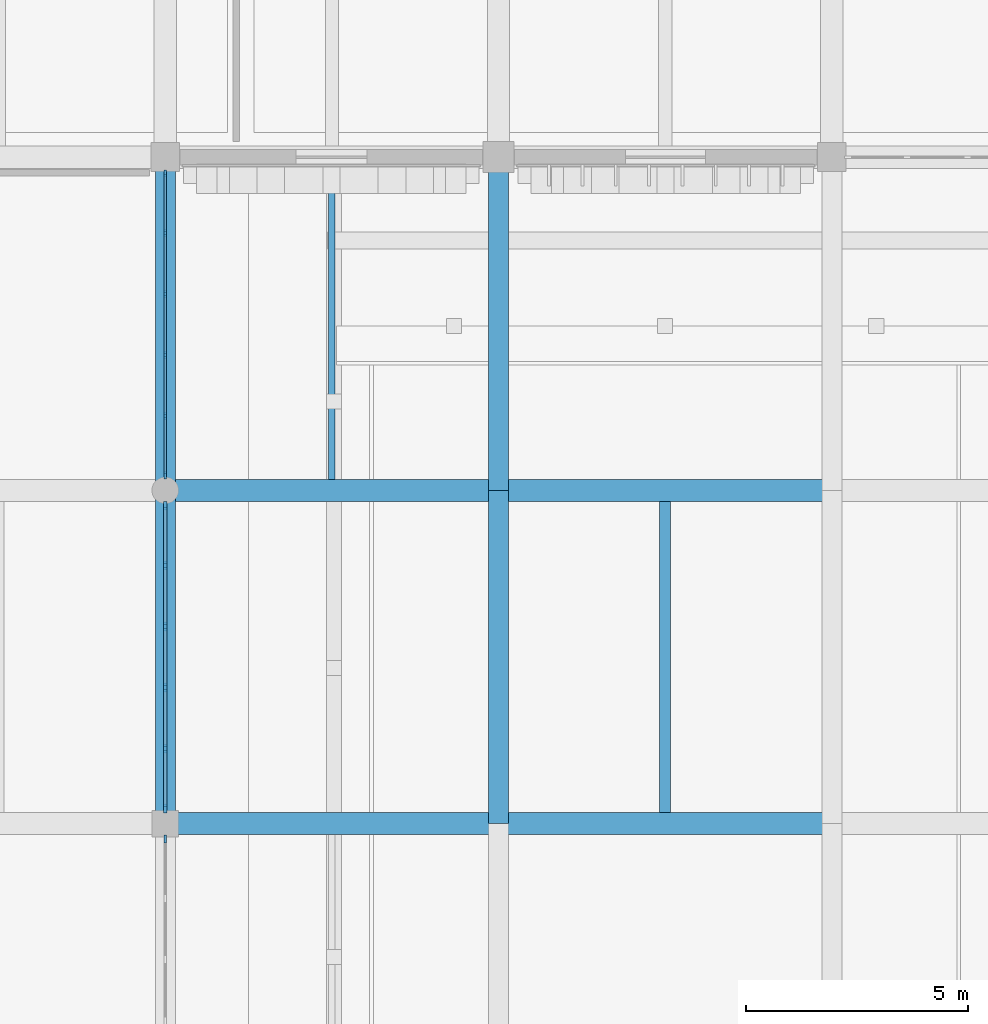
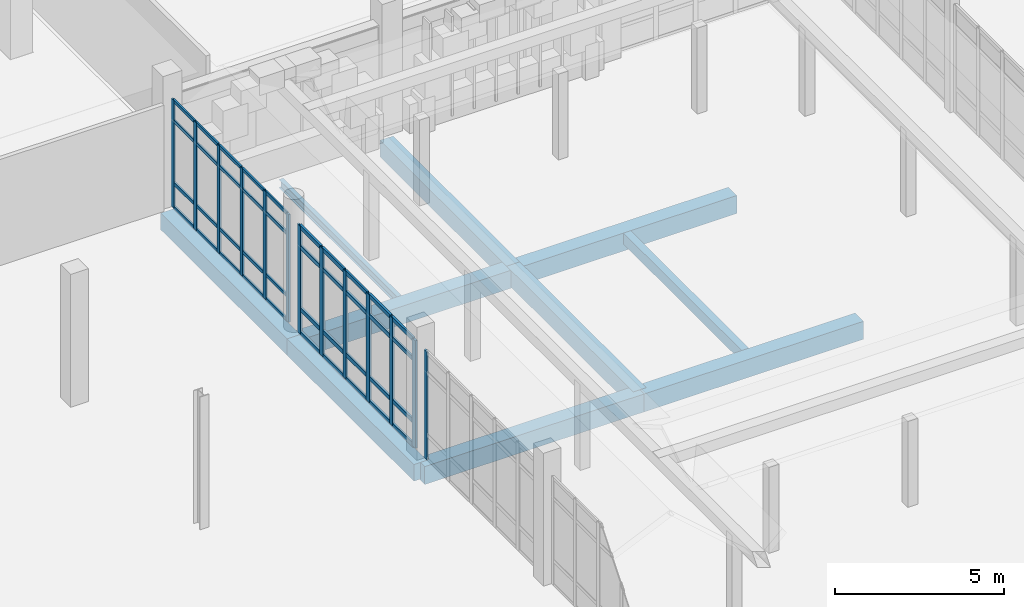
# One storey, part 49 of 125: 53 members, 10 beams, 3 elements without a shape of their own.
"""IFC4 building model written with IfcOpenShell, lengths in metres."""

from ifc_helpers import new_model, si_unit, direction, frame, origin, origin_2d, place, context, subcontext, project, spatial, rectangle, i_section, extrude, material, layer, layer_set, material_profile, profile_set, type_object, element, aggregate, save


model = new_model("IFC4")

# Units and contexts
model_context = context("Model", 3, precision=1e-05, world=origin(), true_north=direction((0.0, 1.0)))
body_context = subcontext(model_context, "Body", "Model", "MODEL_VIEW")
ifc_project = project(units=[si_unit("LENGTHUNIT", "METRE"), si_unit("AREAUNIT", "SQUARE_METRE"), si_unit("VOLUMEUNIT", "CUBIC_METRE"), si_unit("PLANEANGLEUNIT", "RADIAN"), si_unit("MASSUNIT", "GRAM", prefix="KILO")], contexts=[model_context])

# Site, building, storey
site_placement = place(None, origin())
site = spatial("IfcSite", under=ifc_project, at=site_placement, CompositionType="ELEMENT")
building_placement = place(site_placement, origin())
building = spatial("IfcBuilding", under=site, at=building_placement, Name="Dalvernix Boulevard General Hospital", CompositionType="ELEMENT")
storey_placement = place(building_placement, origin())
storey = spatial("IfcBuildingStorey", under=building, at=storey_placement, Name="L00", CompositionType="ELEMENT", Elevation=0.0)

# Beams
ifc_material_1 = material(Name="Concrete C35/45", Category="concrete")
ifc_material_profile_1 = material_profile(ifc_material_1, rectangle(XDim=0.5, YDim=0.64990234375, at=origin_2d()), Name="RCB 500x650")
ifc_profile_set_1 = profile_set([ifc_material_profile_1], Name="Concrete C35/45")
beam_type_1 = type_object("IfcBeamType", Name="BM-B-02-I", PredefinedType="BEAM", material=ifc_profile_set_1)
for number, where, z_axis, x_axis, name in (
    (1, (112.5, 61.5, -0.68505859375), (1.0, 0.0, 0.0), (0.0, 1.0, 0.0), "L00 E-W girder J:16-17"),
    (2, (120.0, 61.5, -0.68505859375), (1.0, 0.0, 0.0), (0.0, 1.0, 0.0), "L00 E-W girder J:17-18"),
    (3, (112.5, 69.0, -0.68505859375), (1.0, 0.0, 0.0), (0.0, 1.0, 0.0), "L00 E-W girder K:16-17"),
    (4, (120.0, 69.0, -0.68505859375), (1.0, 0.0, 0.0), (0.0, 1.0, 0.0), "L00 E-W girder K:17-18"),
):
    element("IfcBeam", number, at=place(storey_placement, frame(where, z_axis=z_axis, x_axis=x_axis)), inside=storey, type_object=beam_type_1, Name=name, PredefinedType="BEAM", context=body_context, shape_type="SweptSolid", body=[
        extrude(rectangle(XDim=0.5, YDim=0.64990234375, at=origin_2d()), origin(), (0.0, 0.0, 1.0), 7.5),
    ])
ifc_material_profile_2 = material_profile(ifc_material_1, rectangle(XDim=0.449951171875, YDim=0.60009765625, at=origin_2d()), Name="RCB 450x600")
ifc_profile_set_2 = profile_set([ifc_material_profile_2], Name="Concrete C35/45")
beam_type_2 = type_object("IfcBeamType", Name="BM-B-04-I", PredefinedType="BEAM", material=ifc_profile_set_2)
for number, where, z_axis, x_axis, name in (
    (5, (112.5, 61.5, -0.659912109375), (0.0, 1.0, 0.0), (-1.0, 0.0, 0.0), "L00 N-S girder 16:J-K"),
    (6, (112.5, 69.0, -0.659912109375), (0.0, 1.0, 0.0), (-1.0, 0.0, 0.0), "L00 N-S girder 16:K-L"),
    (7, (120.0, 61.5, -0.659912109375), (0.0, 1.0, 0.0), (-1.0, 0.0, 0.0), "L00 N-S girder 17:J-K"),
    (8, (120.0, 69.0, -0.659912109375), (0.0, 1.0, 0.0), (-1.0, 0.0, 0.0), "L00 N-S girder 17:K-L"),
):
    element("IfcBeam", number, at=place(storey_placement, frame(where, z_axis=z_axis, x_axis=x_axis)), inside=storey, type_object=beam_type_2, Name=name, PredefinedType="BEAM", context=body_context, shape_type="SweptSolid", body=[
        extrude(rectangle(XDim=0.449951171875, YDim=0.60009765625, at=origin_2d()), origin(), (0.0, 0.0, 1.0), 7.5),
    ])
ifc_material_profile_3 = material_profile(ifc_material_1, rectangle(XDim=0.25, YDim=0.39990234375, at=origin_2d()), Name="RCB 250x400")
ifc_profile_set_3 = profile_set([ifc_material_profile_3], Name="Concrete C35/45")
beam_type_3 = type_object("IfcBeamType", Name="BM-JB-02", PredefinedType="JOIST", material=ifc_profile_set_3)
beam_1_placement = place(storey_placement, frame((123.75, 61.75, -0.56005859375), z_axis=(0.0, 1.0, 0.0), x_axis=(-1.0, 0.0, 0.0)))
element("IfcBeam", 9, at=beam_1_placement, inside=storey, type_object=beam_type_3, Name="L00 secondary floor beam 17-J", PredefinedType="JOIST", context=body_context, shape_type="SweptSolid", body=[
    extrude(rectangle(XDim=0.25, YDim=0.39990234375, at=origin_2d()), origin(), (0.0, 0.0, 1.0), 7.0),
])
ifc_material_2 = material(Name="Steel S355", Category="steel")
ifc_material_profile_4 = material_profile(ifc_material_2, i_section(OverallWidth=0.14990234375, OverallDepth=0.300048828125, WebThickness=0.007080078125, FlangeThickness=0.0107421875, FilletRadius=0.014892578125, at=origin_2d()), Name="IPE 300")
ifc_profile_set_4 = profile_set([ifc_material_profile_4], Name="Steel S355")
beam_type_4 = type_object("IfcBeamType", Name="BM-JB-03", PredefinedType="JOIST", material=ifc_profile_set_4)
beam_2_placement = place(storey_placement, frame((116.25, 69.25, -0.510009765625), z_axis=(0.0, 1.0, 0.0), x_axis=(-1.0, 0.0, 0.0)))
element("IfcBeam", 10, at=beam_2_placement, inside=storey, type_object=beam_type_4, Name="L00 secondary floor beam 16-K", PredefinedType="JOIST", context=body_context, shape_type="SweptSolid", body=[
    extrude(i_section(OverallWidth=0.14990234375, OverallDepth=0.300048828125, WebThickness=0.007080078125, FlangeThickness=0.0107421875, FilletRadius=0.014892578125, at=origin_2d()), origin(), (0.0, 0.0, 1.0), 7.0),
])

# Curtain wall, members
ifc_material_3 = material(Name="Thermally broken aluminium and solar-control glass curtain wall", Category="aluminium")
ifc_layer_1 = layer(ifc_material_3, 0.159912109375)
ifc_layer_set_1 = layer_set([ifc_layer_1], Name="Thermally broken aluminium and solar-control glass curtain wall (CW-CW-A-69x39)")
curtain_wall_type_1 = type_object("IfcCurtainWallType", Name="CW-CW-A-69x39", PredefinedType="USERDEFINED", material=ifc_layer_set_1)
curtain_wall_1_placement = place(storey_placement, origin())
curtain_wall_1 = element("IfcCurtainWall", 11, at=curtain_wall_1_placement, inside=storey, type_object=curtain_wall_type_1, Name="L00 curtain wall CW-A-69x39 15-9", ObjectType="GLAZED FACADE", PredefinedType="USERDEFINED")
ifc_material_4 = material(Name="Aluminium EN AW-6060", Category="aluminium")
ifc_material_profile_5 = material_profile(ifc_material_4, rectangle(XDim=0.06005859375, YDim=0.159912109375, at=origin_2d()), Name="ALU MULL 60x160")
ifc_profile_set_5 = profile_set([ifc_material_profile_5], Name="Aluminium EN AW-6060")
member_type_1 = type_object("IfcMemberType", Name="MEM-CW-M1", PredefinedType="MULLION", material=ifc_profile_set_5)
member_1_placement = place(storey_placement, frame((112.5, 76.135009765625, 0.0), z_axis=(0.0, 0.0, 1.0), x_axis=(1.0, 0.0, 0.0)))
member_1 = element("IfcMember", 12, at=member_1_placement, type_object=member_type_1, Name="CW-A-69x39 mullion 1", PredefinedType="MULLION", context=body_context, shape_type="SweptSolid", body=[
    extrude(rectangle(XDim=0.06005859375, YDim=0.159912109375, at=origin_2d()), origin(), (0.0, 0.0, 1.0), 3.89990234375),
])
member_2_placement = place(storey_placement, frame((112.5, 74.7939453125, 0.0), z_axis=(0.0, 0.0, 1.0), x_axis=(1.0, 0.0, 0.0)))
member_2 = element("IfcMember", 13, at=member_2_placement, type_object=member_type_1, Name="CW-A-69x39 mullion 2", PredefinedType="MULLION", context=body_context, shape_type="SweptSolid", body=[
    extrude(rectangle(XDim=0.06005859375, YDim=0.159912109375, at=origin_2d()), origin(), (0.0, 0.0, 1.0), 3.89990234375),
])
member_3_placement = place(storey_placement, frame((112.5, 73.423095703125, 0.0), z_axis=(0.0, 0.0, 1.0), x_axis=(1.0, 0.0, 0.0)))
member_3 = element("IfcMember", 14, at=member_3_placement, type_object=member_type_1, Name="CW-A-69x39 mullion 3", PredefinedType="MULLION", context=body_context, shape_type="SweptSolid", body=[
    extrude(rectangle(XDim=0.06005859375, YDim=0.159912109375, at=origin_2d()), origin(), (0.0, 0.0, 1.0), 3.89990234375),
])
member_4_placement = place(storey_placement, frame((112.5, 72.052001953125, 0.0), z_axis=(0.0, 0.0, 1.0), x_axis=(1.0, 0.0, 0.0)))
member_4 = element("IfcMember", 15, at=member_4_placement, type_object=member_type_1, Name="CW-A-69x39 mullion 4", PredefinedType="MULLION", context=body_context, shape_type="SweptSolid", body=[
    extrude(rectangle(XDim=0.06005859375, YDim=0.159912109375, at=origin_2d()), origin(), (0.0, 0.0, 1.0), 3.89990234375),
])
member_5_placement = place(storey_placement, frame((112.5, 70.680908203125, 0.0), z_axis=(0.0, 0.0, 1.0), x_axis=(1.0, 0.0, 0.0)))
member_5 = element("IfcMember", 16, at=member_5_placement, type_object=member_type_1, Name="CW-A-69x39 mullion 5", PredefinedType="MULLION", context=body_context, shape_type="SweptSolid", body=[
    extrude(rectangle(XDim=0.06005859375, YDim=0.159912109375, at=origin_2d()), origin(), (0.0, 0.0, 1.0), 3.89990234375),
])
member_6_placement = place(storey_placement, frame((112.5, 69.340087890625, 0.0), z_axis=(0.0, 0.0, 1.0), x_axis=(1.0, 0.0, 0.0)))
member_6 = element("IfcMember", 17, at=member_6_placement, type_object=member_type_1, Name="CW-A-69x39 mullion 6", PredefinedType="MULLION", context=body_context, shape_type="SweptSolid", body=[
    extrude(rectangle(XDim=0.06005859375, YDim=0.159912109375, at=origin_2d()), origin(), (0.0, 0.0, 1.0), 3.89990234375),
])

# Curtain wall, member
ifc_layer_2 = layer(ifc_material_3, 0.179931640625)
ifc_layer_set_2 = layer_set([ifc_layer_2], Name="Thermally broken aluminium and solar-control glass curtain wall (CW-CW-B-69x39)")
curtain_wall_type_2 = type_object("IfcCurtainWallType", Name="CW-CW-B-69x39", PredefinedType="USERDEFINED", material=ifc_layer_set_2)
curtain_wall_2_placement = place(storey_placement, origin())
curtain_wall_2 = element("IfcCurtainWall", 18, at=curtain_wall_2_placement, inside=storey, type_object=curtain_wall_type_2, Name="L00 curtain wall CW-B-69x39 15-7", ObjectType="GLAZED FACADE", PredefinedType="USERDEFINED")
ifc_material_profile_6 = material_profile(ifc_material_4, rectangle(XDim=0.06494140625, YDim=0.179931640625, at=origin_2d()), Name="ALU MULL 65x180")
ifc_profile_set_6 = profile_set([ifc_material_profile_6], Name="Aluminium EN AW-6060")
member_type_2 = type_object("IfcMemberType", Name="MEM-CW-M2", PredefinedType="MULLION", material=ifc_profile_set_6)
member_7_placement = place(storey_placement, frame((112.5, 61.157470703125, 0.0), z_axis=(0.0, 0.0, 1.0), x_axis=(1.0, 0.0, 0.0)))
member_7 = element("IfcMember", 19, at=member_7_placement, type_object=member_type_2, Name="CW-B-69x39 mullion 1", PredefinedType="MULLION", context=body_context, shape_type="SweptSolid", body=[
    extrude(rectangle(XDim=0.06494140625, YDim=0.179931640625, at=origin_2d()), origin(), (0.0, 0.0, 1.0), 3.89990234375),
])
aggregate(curtain_wall_2, [member_7])

# Curtain wall, members
ifc_layer_3 = layer(ifc_material_3, 0.199951171875)
ifc_layer_set_3 = layer_set([ifc_layer_3], Name="Thermally broken aluminium and solar-control glass curtain wall (CW-CW-C-69x39)")
curtain_wall_type_3 = type_object("IfcCurtainWallType", Name="CW-CW-C-69x39", PredefinedType="USERDEFINED", material=ifc_layer_set_3)
curtain_wall_3_placement = place(storey_placement, origin())
curtain_wall_3 = element("IfcCurtainWall", 20, at=curtain_wall_3_placement, inside=storey, type_object=curtain_wall_type_3, Name="L00 curtain wall CW-C-69x39 15-8", ObjectType="GLAZED FACADE", PredefinedType="USERDEFINED")
ifc_material_profile_7 = material_profile(ifc_material_4, rectangle(XDim=0.070068359375, YDim=0.199951171875, at=origin_2d()), Name="ALU MULL 70x200")
ifc_profile_set_7 = profile_set([ifc_material_profile_7], Name="Aluminium EN AW-6060")
member_type_3 = type_object("IfcMemberType", Name="MEM-CW-M3", PredefinedType="MULLION", material=ifc_profile_set_7)
member_8_placement = place(storey_placement, frame((112.5, 68.655029296875, 0.0), z_axis=(0.0, 0.0, 1.0), x_axis=(1.0, 0.0, 0.0)))
member_8 = element("IfcMember", 21, at=member_8_placement, type_object=member_type_3, Name="CW-C-69x39 mullion 1", PredefinedType="MULLION", context=body_context, shape_type="SweptSolid", body=[
    extrude(rectangle(XDim=0.070068359375, YDim=0.199951171875, at=origin_2d()), origin(), (0.0, 0.0, 1.0), 3.89990234375),
])
member_9_placement = place(storey_placement, frame((112.5, 67.31396484375, 0.0), z_axis=(0.0, 0.0, 1.0), x_axis=(1.0, 0.0, 0.0)))
member_9 = element("IfcMember", 22, at=member_9_placement, type_object=member_type_3, Name="CW-C-69x39 mullion 2", PredefinedType="MULLION", context=body_context, shape_type="SweptSolid", body=[
    extrude(rectangle(XDim=0.070068359375, YDim=0.199951171875, at=origin_2d()), origin(), (0.0, 0.0, 1.0), 3.89990234375),
])
member_10_placement = place(storey_placement, frame((112.5, 65.93798828125, 0.0), z_axis=(0.0, 0.0, 1.0), x_axis=(1.0, 0.0, 0.0)))
member_10 = element("IfcMember", 23, at=member_10_placement, type_object=member_type_3, Name="CW-C-69x39 mullion 3", PredefinedType="MULLION", context=body_context, shape_type="SweptSolid", body=[
    extrude(rectangle(XDim=0.070068359375, YDim=0.199951171875, at=origin_2d()), origin(), (0.0, 0.0, 1.0), 3.89990234375),
])
member_11_placement = place(storey_placement, frame((112.5, 64.56201171875, 0.0), z_axis=(0.0, 0.0, 1.0), x_axis=(1.0, 0.0, 0.0)))
member_11 = element("IfcMember", 24, at=member_11_placement, type_object=member_type_3, Name="CW-C-69x39 mullion 4", PredefinedType="MULLION", context=body_context, shape_type="SweptSolid", body=[
    extrude(rectangle(XDim=0.070068359375, YDim=0.199951171875, at=origin_2d()), origin(), (0.0, 0.0, 1.0), 3.89990234375),
])
member_12_placement = place(storey_placement, frame((112.5, 63.18603515625, 0.0), z_axis=(0.0, 0.0, 1.0), x_axis=(1.0, 0.0, 0.0)))
member_12 = element("IfcMember", 25, at=member_12_placement, type_object=member_type_3, Name="CW-C-69x39 mullion 5", PredefinedType="MULLION", context=body_context, shape_type="SweptSolid", body=[
    extrude(rectangle(XDim=0.070068359375, YDim=0.199951171875, at=origin_2d()), origin(), (0.0, 0.0, 1.0), 3.89990234375),
])
member_13_placement = place(storey_placement, frame((112.5, 61.844970703125, 0.0), z_axis=(0.0, 0.0, 1.0), x_axis=(1.0, 0.0, 0.0)))
member_13 = element("IfcMember", 26, at=member_13_placement, type_object=member_type_3, Name="CW-C-69x39 mullion 6", PredefinedType="MULLION", context=body_context, shape_type="SweptSolid", body=[
    extrude(rectangle(XDim=0.070068359375, YDim=0.199951171875, at=origin_2d()), origin(), (0.0, 0.0, 1.0), 3.89990234375),
])

# Member
ifc_material_profile_8 = material_profile(ifc_material_4, rectangle(XDim=0.06005859375, YDim=0.1201171875, at=origin_2d()), Name="ALU TRAN 60x120")
ifc_profile_set_8 = profile_set([ifc_material_profile_8], Name="Aluminium EN AW-6060")
member_type_4 = type_object("IfcMemberType", Name="MEM-CW-T1", PredefinedType="USERDEFINED", material=ifc_profile_set_8)
member_14_placement = place(storey_placement, frame((112.5, 76.10498046875, 0.030029296875), z_axis=(0.0, -1.0, 0.0), x_axis=(1.0, 0.0, 0.0)))
member_14 = element("IfcMember", 27, at=member_14_placement, type_object=member_type_4, Name="CW-A-69x39 transom 1.1", ObjectType="TRANSOM", PredefinedType="USERDEFINED", context=body_context, shape_type="SweptSolid", body=[
    extrude(rectangle(XDim=0.06005859375, YDim=0.1201171875, at=origin_2d()), origin(), (0.0, 0.0, 1.0), 1.281005859375),
])

member_15_placement = place(storey_placement, frame((112.5, 76.10498046875, 0.89990234375), z_axis=(0.0, -1.0, 0.0), x_axis=(1.0, 0.0, 0.0)))
member_15 = element("IfcMember", 28, at=member_15_placement, type_object=member_type_4, Name="CW-A-69x39 transom 1.2", ObjectType="TRANSOM", PredefinedType="USERDEFINED", context=body_context, shape_type="SweptSolid", body=[
    extrude(rectangle(XDim=0.06005859375, YDim=0.1201171875, at=origin_2d()), origin(), (0.0, 0.0, 1.0), 1.281005859375),
])

member_16_placement = place(storey_placement, frame((112.5, 76.10498046875, 3.14990234375), z_axis=(0.0, -1.0, 0.0), x_axis=(1.0, 0.0, 0.0)))
member_16 = element("IfcMember", 29, at=member_16_placement, type_object=member_type_4, Name="CW-A-69x39 transom 1.3", ObjectType="TRANSOM", PredefinedType="USERDEFINED", context=body_context, shape_type="SweptSolid", body=[
    extrude(rectangle(XDim=0.06005859375, YDim=0.1201171875, at=origin_2d()), origin(), (0.0, 0.0, 1.0), 1.281005859375),
])

member_17_placement = place(storey_placement, frame((112.5, 76.10498046875, 3.8701171875), z_axis=(0.0, -1.0, 0.0), x_axis=(1.0, 0.0, 0.0)))
member_17 = element("IfcMember", 30, at=member_17_placement, type_object=member_type_4, Name="CW-A-69x39 transom 1.4", ObjectType="TRANSOM", PredefinedType="USERDEFINED", context=body_context, shape_type="SweptSolid", body=[
    extrude(rectangle(XDim=0.06005859375, YDim=0.1201171875, at=origin_2d()), origin(), (0.0, 0.0, 1.0), 1.281005859375),
])

member_18_placement = place(storey_placement, frame((112.5, 74.763916015625, 0.030029296875), z_axis=(0.0, -1.0, 0.0), x_axis=(1.0, 0.0, 0.0)))
member_18 = element("IfcMember", 31, at=member_18_placement, type_object=member_type_4, Name="CW-A-69x39 transom 2.1", ObjectType="TRANSOM", PredefinedType="USERDEFINED", context=body_context, shape_type="SweptSolid", body=[
    extrude(rectangle(XDim=0.06005859375, YDim=0.1201171875, at=origin_2d()), origin(), (0.0, 0.0, 1.0), 1.31103515625),
])

member_19_placement = place(storey_placement, frame((112.5, 74.763916015625, 0.89990234375), z_axis=(0.0, -1.0, 0.0), x_axis=(1.0, 0.0, 0.0)))
member_19 = element("IfcMember", 32, at=member_19_placement, type_object=member_type_4, Name="CW-A-69x39 transom 2.2", ObjectType="TRANSOM", PredefinedType="USERDEFINED", context=body_context, shape_type="SweptSolid", body=[
    extrude(rectangle(XDim=0.06005859375, YDim=0.1201171875, at=origin_2d()), origin(), (0.0, 0.0, 1.0), 1.31103515625),
])

member_20_placement = place(storey_placement, frame((112.5, 74.763916015625, 3.14990234375), z_axis=(0.0, -1.0, 0.0), x_axis=(1.0, 0.0, 0.0)))
member_20 = element("IfcMember", 33, at=member_20_placement, type_object=member_type_4, Name="CW-A-69x39 transom 2.3", ObjectType="TRANSOM", PredefinedType="USERDEFINED", context=body_context, shape_type="SweptSolid", body=[
    extrude(rectangle(XDim=0.06005859375, YDim=0.1201171875, at=origin_2d()), origin(), (0.0, 0.0, 1.0), 1.31103515625),
])

member_21_placement = place(storey_placement, frame((112.5, 74.763916015625, 3.8701171875), z_axis=(0.0, -1.0, 0.0), x_axis=(1.0, 0.0, 0.0)))
member_21 = element("IfcMember", 34, at=member_21_placement, type_object=member_type_4, Name="CW-A-69x39 transom 2.4", ObjectType="TRANSOM", PredefinedType="USERDEFINED", context=body_context, shape_type="SweptSolid", body=[
    extrude(rectangle(XDim=0.06005859375, YDim=0.1201171875, at=origin_2d()), origin(), (0.0, 0.0, 1.0), 1.31103515625),
])

member_22_placement = place(storey_placement, frame((112.5, 73.39306640625, 0.030029296875), z_axis=(0.0, -1.0, 0.0), x_axis=(1.0, 0.0, 0.0)))
member_22 = element("IfcMember", 35, at=member_22_placement, type_object=member_type_4, Name="CW-A-69x39 transom 3.1", ObjectType="TRANSOM", PredefinedType="USERDEFINED", context=body_context, shape_type="SweptSolid", body=[
    extrude(rectangle(XDim=0.06005859375, YDim=0.1201171875, at=origin_2d()), origin(), (0.0, 0.0, 1.0), 1.31103515625),
])

member_23_placement = place(storey_placement, frame((112.5, 73.39306640625, 0.89990234375), z_axis=(0.0, -1.0, 0.0), x_axis=(1.0, 0.0, 0.0)))
member_23 = element("IfcMember", 36, at=member_23_placement, type_object=member_type_4, Name="CW-A-69x39 transom 3.2", ObjectType="TRANSOM", PredefinedType="USERDEFINED", context=body_context, shape_type="SweptSolid", body=[
    extrude(rectangle(XDim=0.06005859375, YDim=0.1201171875, at=origin_2d()), origin(), (0.0, 0.0, 1.0), 1.31103515625),
])

member_24_placement = place(storey_placement, frame((112.5, 73.39306640625, 3.14990234375), z_axis=(0.0, -1.0, 0.0), x_axis=(1.0, 0.0, 0.0)))
member_24 = element("IfcMember", 37, at=member_24_placement, type_object=member_type_4, Name="CW-A-69x39 transom 3.3", ObjectType="TRANSOM", PredefinedType="USERDEFINED", context=body_context, shape_type="SweptSolid", body=[
    extrude(rectangle(XDim=0.06005859375, YDim=0.1201171875, at=origin_2d()), origin(), (0.0, 0.0, 1.0), 1.31103515625),
])

member_25_placement = place(storey_placement, frame((112.5, 73.39306640625, 3.8701171875), z_axis=(0.0, -1.0, 0.0), x_axis=(1.0, 0.0, 0.0)))
member_25 = element("IfcMember", 38, at=member_25_placement, type_object=member_type_4, Name="CW-A-69x39 transom 3.4", ObjectType="TRANSOM", PredefinedType="USERDEFINED", context=body_context, shape_type="SweptSolid", body=[
    extrude(rectangle(XDim=0.06005859375, YDim=0.1201171875, at=origin_2d()), origin(), (0.0, 0.0, 1.0), 1.31103515625),
])

member_26_placement = place(storey_placement, frame((112.5, 72.02197265625, 0.030029296875), z_axis=(0.0, -1.0, 0.0), x_axis=(1.0, 0.0, 0.0)))
member_26 = element("IfcMember", 39, at=member_26_placement, type_object=member_type_4, Name="CW-A-69x39 transom 4.1", ObjectType="TRANSOM", PredefinedType="USERDEFINED", context=body_context, shape_type="SweptSolid", body=[
    extrude(rectangle(XDim=0.06005859375, YDim=0.1201171875, at=origin_2d()), origin(), (0.0, 0.0, 1.0), 1.31103515625),
])

member_27_placement = place(storey_placement, frame((112.5, 72.02197265625, 0.89990234375), z_axis=(0.0, -1.0, 0.0), x_axis=(1.0, 0.0, 0.0)))
member_27 = element("IfcMember", 40, at=member_27_placement, type_object=member_type_4, Name="CW-A-69x39 transom 4.2", ObjectType="TRANSOM", PredefinedType="USERDEFINED", context=body_context, shape_type="SweptSolid", body=[
    extrude(rectangle(XDim=0.06005859375, YDim=0.1201171875, at=origin_2d()), origin(), (0.0, 0.0, 1.0), 1.31103515625),
])

member_28_placement = place(storey_placement, frame((112.5, 72.02197265625, 3.14990234375), z_axis=(0.0, -1.0, 0.0), x_axis=(1.0, 0.0, 0.0)))
member_28 = element("IfcMember", 41, at=member_28_placement, type_object=member_type_4, Name="CW-A-69x39 transom 4.3", ObjectType="TRANSOM", PredefinedType="USERDEFINED", context=body_context, shape_type="SweptSolid", body=[
    extrude(rectangle(XDim=0.06005859375, YDim=0.1201171875, at=origin_2d()), origin(), (0.0, 0.0, 1.0), 1.31103515625),
])

member_29_placement = place(storey_placement, frame((112.5, 72.02197265625, 3.8701171875), z_axis=(0.0, -1.0, 0.0), x_axis=(1.0, 0.0, 0.0)))
member_29 = element("IfcMember", 42, at=member_29_placement, type_object=member_type_4, Name="CW-A-69x39 transom 4.4", ObjectType="TRANSOM", PredefinedType="USERDEFINED", context=body_context, shape_type="SweptSolid", body=[
    extrude(rectangle(XDim=0.06005859375, YDim=0.1201171875, at=origin_2d()), origin(), (0.0, 0.0, 1.0), 1.31103515625),
])

member_30_placement = place(storey_placement, frame((112.5, 70.65087890625, 0.030029296875), z_axis=(0.0, -1.0, 0.0), x_axis=(1.0, 0.0, 0.0)))
member_30 = element("IfcMember", 43, at=member_30_placement, type_object=member_type_4, Name="CW-A-69x39 transom 5.1", ObjectType="TRANSOM", PredefinedType="USERDEFINED", context=body_context, shape_type="SweptSolid", body=[
    extrude(rectangle(XDim=0.06005859375, YDim=0.1201171875, at=origin_2d()), origin(), (0.0, 0.0, 1.0), 1.28076171875),
])

member_31_placement = place(storey_placement, frame((112.5, 70.65087890625, 0.89990234375), z_axis=(0.0, -1.0, 0.0), x_axis=(1.0, 0.0, 0.0)))
member_31 = element("IfcMember", 44, at=member_31_placement, type_object=member_type_4, Name="CW-A-69x39 transom 5.2", ObjectType="TRANSOM", PredefinedType="USERDEFINED", context=body_context, shape_type="SweptSolid", body=[
    extrude(rectangle(XDim=0.06005859375, YDim=0.1201171875, at=origin_2d()), origin(), (0.0, 0.0, 1.0), 1.28076171875),
])

member_32_placement = place(storey_placement, frame((112.5, 70.65087890625, 3.14990234375), z_axis=(0.0, -1.0, 0.0), x_axis=(1.0, 0.0, 0.0)))
member_32 = element("IfcMember", 45, at=member_32_placement, type_object=member_type_4, Name="CW-A-69x39 transom 5.3", ObjectType="TRANSOM", PredefinedType="USERDEFINED", context=body_context, shape_type="SweptSolid", body=[
    extrude(rectangle(XDim=0.06005859375, YDim=0.1201171875, at=origin_2d()), origin(), (0.0, 0.0, 1.0), 1.28076171875),
])

member_33_placement = place(storey_placement, frame((112.5, 70.65087890625, 3.8701171875), z_axis=(0.0, -1.0, 0.0), x_axis=(1.0, 0.0, 0.0)))
member_33 = element("IfcMember", 46, at=member_33_placement, type_object=member_type_4, Name="CW-A-69x39 transom 5.4", ObjectType="TRANSOM", PredefinedType="USERDEFINED", context=body_context, shape_type="SweptSolid", body=[
    extrude(rectangle(XDim=0.06005859375, YDim=0.1201171875, at=origin_2d()), origin(), (0.0, 0.0, 1.0), 1.28076171875),
])

aggregate(curtain_wall_1, [member_1, member_2, member_3, member_4, member_5, member_6, member_14, member_15, member_16, member_17, member_18, member_19, member_20, member_21, member_22, member_23, member_24, member_25, member_26, member_27, member_28, member_29, member_30, member_31, member_32, member_33])

ifc_material_profile_9 = material_profile(ifc_material_4, rectangle(XDim=0.070068359375, YDim=0.14990234375, at=origin_2d()), Name="ALU TRAN 70x150")
ifc_profile_set_9 = profile_set([ifc_material_profile_9], Name="Aluminium EN AW-6060")
member_type_5 = type_object("IfcMemberType", Name="MEM-CW-T3", PredefinedType="USERDEFINED", material=ifc_profile_set_9)
member_34_placement = place(storey_placement, frame((112.5, 68.6201171875, 0.034912109375), z_axis=(0.0, -1.0, 0.0), x_axis=(1.0, 0.0, 0.0)))
member_34 = element("IfcMember", 47, at=member_34_placement, type_object=member_type_5, Name="CW-C-69x39 transom 1.1", ObjectType="TRANSOM", PredefinedType="USERDEFINED", context=body_context, shape_type="SweptSolid", body=[
    extrude(rectangle(XDim=0.070068359375, YDim=0.14990234375, at=origin_2d()), origin(), (0.0, 0.0, 1.0), 1.27099609375),
])

member_35_placement = place(storey_placement, frame((112.5, 68.6201171875, 0.89990234375), z_axis=(0.0, -1.0, 0.0), x_axis=(1.0, 0.0, 0.0)))
member_35 = element("IfcMember", 48, at=member_35_placement, type_object=member_type_5, Name="CW-C-69x39 transom 1.2", ObjectType="TRANSOM", PredefinedType="USERDEFINED", context=body_context, shape_type="SweptSolid", body=[
    extrude(rectangle(XDim=0.070068359375, YDim=0.14990234375, at=origin_2d()), origin(), (0.0, 0.0, 1.0), 1.27099609375),
])

member_36_placement = place(storey_placement, frame((112.5, 68.6201171875, 3.14990234375), z_axis=(0.0, -1.0, 0.0), x_axis=(1.0, 0.0, 0.0)))
member_36 = element("IfcMember", 49, at=member_36_placement, type_object=member_type_5, Name="CW-C-69x39 transom 1.3", ObjectType="TRANSOM", PredefinedType="USERDEFINED", context=body_context, shape_type="SweptSolid", body=[
    extrude(rectangle(XDim=0.070068359375, YDim=0.14990234375, at=origin_2d()), origin(), (0.0, 0.0, 1.0), 1.27099609375),
])

member_37_placement = place(storey_placement, frame((112.5, 68.6201171875, 3.864990234375), z_axis=(0.0, -1.0, 0.0), x_axis=(1.0, 0.0, 0.0)))
member_37 = element("IfcMember", 50, at=member_37_placement, type_object=member_type_5, Name="CW-C-69x39 transom 1.4", ObjectType="TRANSOM", PredefinedType="USERDEFINED", context=body_context, shape_type="SweptSolid", body=[
    extrude(rectangle(XDim=0.070068359375, YDim=0.14990234375, at=origin_2d()), origin(), (0.0, 0.0, 1.0), 1.27099609375),
])

member_38_placement = place(storey_placement, frame((112.5, 67.279052734375, 0.034912109375), z_axis=(0.0, -1.0, 0.0), x_axis=(1.0, 0.0, 0.0)))
member_38 = element("IfcMember", 51, at=member_38_placement, type_object=member_type_5, Name="CW-C-69x39 transom 2.1", ObjectType="TRANSOM", PredefinedType="USERDEFINED", context=body_context, shape_type="SweptSolid", body=[
    extrude(rectangle(XDim=0.070068359375, YDim=0.14990234375, at=origin_2d()), origin(), (0.0, 0.0, 1.0), 1.30615234375),
])

member_39_placement = place(storey_placement, frame((112.5, 67.279052734375, 0.89990234375), z_axis=(0.0, -1.0, 0.0), x_axis=(1.0, 0.0, 0.0)))
member_39 = element("IfcMember", 52, at=member_39_placement, type_object=member_type_5, Name="CW-C-69x39 transom 2.2", ObjectType="TRANSOM", PredefinedType="USERDEFINED", context=body_context, shape_type="SweptSolid", body=[
    extrude(rectangle(XDim=0.070068359375, YDim=0.14990234375, at=origin_2d()), origin(), (0.0, 0.0, 1.0), 1.30615234375),
])

member_40_placement = place(storey_placement, frame((112.5, 67.279052734375, 3.14990234375), z_axis=(0.0, -1.0, 0.0), x_axis=(1.0, 0.0, 0.0)))
member_40 = element("IfcMember", 53, at=member_40_placement, type_object=member_type_5, Name="CW-C-69x39 transom 2.3", ObjectType="TRANSOM", PredefinedType="USERDEFINED", context=body_context, shape_type="SweptSolid", body=[
    extrude(rectangle(XDim=0.070068359375, YDim=0.14990234375, at=origin_2d()), origin(), (0.0, 0.0, 1.0), 1.30615234375),
])

member_41_placement = place(storey_placement, frame((112.5, 67.279052734375, 3.864990234375), z_axis=(0.0, -1.0, 0.0), x_axis=(1.0, 0.0, 0.0)))
member_41 = element("IfcMember", 54, at=member_41_placement, type_object=member_type_5, Name="CW-C-69x39 transom 2.4", ObjectType="TRANSOM", PredefinedType="USERDEFINED", context=body_context, shape_type="SweptSolid", body=[
    extrude(rectangle(XDim=0.070068359375, YDim=0.14990234375, at=origin_2d()), origin(), (0.0, 0.0, 1.0), 1.30615234375),
])

member_42_placement = place(storey_placement, frame((112.5, 65.903076171875, 0.034912109375), z_axis=(0.0, -1.0, 0.0), x_axis=(1.0, 0.0, 0.0)))
member_42 = element("IfcMember", 55, at=member_42_placement, type_object=member_type_5, Name="CW-C-69x39 transom 3.1", ObjectType="TRANSOM", PredefinedType="USERDEFINED", context=body_context, shape_type="SweptSolid", body=[
    extrude(rectangle(XDim=0.070068359375, YDim=0.14990234375, at=origin_2d()), origin(), (0.0, 0.0, 1.0), 1.30615234375),
])

member_43_placement = place(storey_placement, frame((112.5, 65.903076171875, 0.89990234375), z_axis=(0.0, -1.0, 0.0), x_axis=(1.0, 0.0, 0.0)))
member_43 = element("IfcMember", 56, at=member_43_placement, type_object=member_type_5, Name="CW-C-69x39 transom 3.2", ObjectType="TRANSOM", PredefinedType="USERDEFINED", context=body_context, shape_type="SweptSolid", body=[
    extrude(rectangle(XDim=0.070068359375, YDim=0.14990234375, at=origin_2d()), origin(), (0.0, 0.0, 1.0), 1.30615234375),
])

member_44_placement = place(storey_placement, frame((112.5, 65.903076171875, 3.14990234375), z_axis=(0.0, -1.0, 0.0), x_axis=(1.0, 0.0, 0.0)))
member_44 = element("IfcMember", 57, at=member_44_placement, type_object=member_type_5, Name="CW-C-69x39 transom 3.3", ObjectType="TRANSOM", PredefinedType="USERDEFINED", context=body_context, shape_type="SweptSolid", body=[
    extrude(rectangle(XDim=0.070068359375, YDim=0.14990234375, at=origin_2d()), origin(), (0.0, 0.0, 1.0), 1.30615234375),
])

member_45_placement = place(storey_placement, frame((112.5, 65.903076171875, 3.864990234375), z_axis=(0.0, -1.0, 0.0), x_axis=(1.0, 0.0, 0.0)))
member_45 = element("IfcMember", 58, at=member_45_placement, type_object=member_type_5, Name="CW-C-69x39 transom 3.4", ObjectType="TRANSOM", PredefinedType="USERDEFINED", context=body_context, shape_type="SweptSolid", body=[
    extrude(rectangle(XDim=0.070068359375, YDim=0.14990234375, at=origin_2d()), origin(), (0.0, 0.0, 1.0), 1.30615234375),
])

member_46_placement = place(storey_placement, frame((112.5, 64.527099609375, 0.034912109375), z_axis=(0.0, -1.0, 0.0), x_axis=(1.0, 0.0, 0.0)))
member_46 = element("IfcMember", 59, at=member_46_placement, type_object=member_type_5, Name="CW-C-69x39 transom 4.1", ObjectType="TRANSOM", PredefinedType="USERDEFINED", context=body_context, shape_type="SweptSolid", body=[
    extrude(rectangle(XDim=0.070068359375, YDim=0.14990234375, at=origin_2d()), origin(), (0.0, 0.0, 1.0), 1.30615234375),
])

member_47_placement = place(storey_placement, frame((112.5, 64.527099609375, 0.89990234375), z_axis=(0.0, -1.0, 0.0), x_axis=(1.0, 0.0, 0.0)))
member_47 = element("IfcMember", 60, at=member_47_placement, type_object=member_type_5, Name="CW-C-69x39 transom 4.2", ObjectType="TRANSOM", PredefinedType="USERDEFINED", context=body_context, shape_type="SweptSolid", body=[
    extrude(rectangle(XDim=0.070068359375, YDim=0.14990234375, at=origin_2d()), origin(), (0.0, 0.0, 1.0), 1.30615234375),
])

member_48_placement = place(storey_placement, frame((112.5, 64.527099609375, 3.14990234375), z_axis=(0.0, -1.0, 0.0), x_axis=(1.0, 0.0, 0.0)))
member_48 = element("IfcMember", 61, at=member_48_placement, type_object=member_type_5, Name="CW-C-69x39 transom 4.3", ObjectType="TRANSOM", PredefinedType="USERDEFINED", context=body_context, shape_type="SweptSolid", body=[
    extrude(rectangle(XDim=0.070068359375, YDim=0.14990234375, at=origin_2d()), origin(), (0.0, 0.0, 1.0), 1.30615234375),
])

member_49_placement = place(storey_placement, frame((112.5, 64.527099609375, 3.864990234375), z_axis=(0.0, -1.0, 0.0), x_axis=(1.0, 0.0, 0.0)))
member_49 = element("IfcMember", 62, at=member_49_placement, type_object=member_type_5, Name="CW-C-69x39 transom 4.4", ObjectType="TRANSOM", PredefinedType="USERDEFINED", context=body_context, shape_type="SweptSolid", body=[
    extrude(rectangle(XDim=0.070068359375, YDim=0.14990234375, at=origin_2d()), origin(), (0.0, 0.0, 1.0), 1.30615234375),
])

member_50_placement = place(storey_placement, frame((112.5, 63.15087890625, 0.034912109375), z_axis=(0.0, -1.0, 0.0), x_axis=(1.0, 0.0, 0.0)))
member_50 = element("IfcMember", 63, at=member_50_placement, type_object=member_type_5, Name="CW-C-69x39 transom 5.1", ObjectType="TRANSOM", PredefinedType="USERDEFINED", context=body_context, shape_type="SweptSolid", body=[
    extrude(rectangle(XDim=0.070068359375, YDim=0.14990234375, at=origin_2d()), origin(), (0.0, 0.0, 1.0), 1.27099609375),
])

member_51_placement = place(storey_placement, frame((112.5, 63.15087890625, 0.89990234375), z_axis=(0.0, -1.0, 0.0), x_axis=(1.0, 0.0, 0.0)))
member_51 = element("IfcMember", 64, at=member_51_placement, type_object=member_type_5, Name="CW-C-69x39 transom 5.2", ObjectType="TRANSOM", PredefinedType="USERDEFINED", context=body_context, shape_type="SweptSolid", body=[
    extrude(rectangle(XDim=0.070068359375, YDim=0.14990234375, at=origin_2d()), origin(), (0.0, 0.0, 1.0), 1.27099609375),
])

member_52_placement = place(storey_placement, frame((112.5, 63.15087890625, 3.14990234375), z_axis=(0.0, -1.0, 0.0), x_axis=(1.0, 0.0, 0.0)))
member_52 = element("IfcMember", 65, at=member_52_placement, type_object=member_type_5, Name="CW-C-69x39 transom 5.3", ObjectType="TRANSOM", PredefinedType="USERDEFINED", context=body_context, shape_type="SweptSolid", body=[
    extrude(rectangle(XDim=0.070068359375, YDim=0.14990234375, at=origin_2d()), origin(), (0.0, 0.0, 1.0), 1.27099609375),
])

member_53_placement = place(storey_placement, frame((112.5, 63.15087890625, 3.864990234375), z_axis=(0.0, -1.0, 0.0), x_axis=(1.0, 0.0, 0.0)))
member_53 = element("IfcMember", 66, at=member_53_placement, type_object=member_type_5, Name="CW-C-69x39 transom 5.4", ObjectType="TRANSOM", PredefinedType="USERDEFINED", context=body_context, shape_type="SweptSolid", body=[
    extrude(rectangle(XDim=0.070068359375, YDim=0.14990234375, at=origin_2d()), origin(), (0.0, 0.0, 1.0), 1.27099609375),
])

aggregate(curtain_wall_3, [member_8, member_9, member_10, member_11, member_12, member_13, member_34, member_35, member_36, member_37, member_38, member_39, member_40, member_41, member_42, member_43, member_44, member_45, member_46, member_47, member_48, member_49, member_50, member_51, member_52, member_53])

save(model, "model.ifc")
